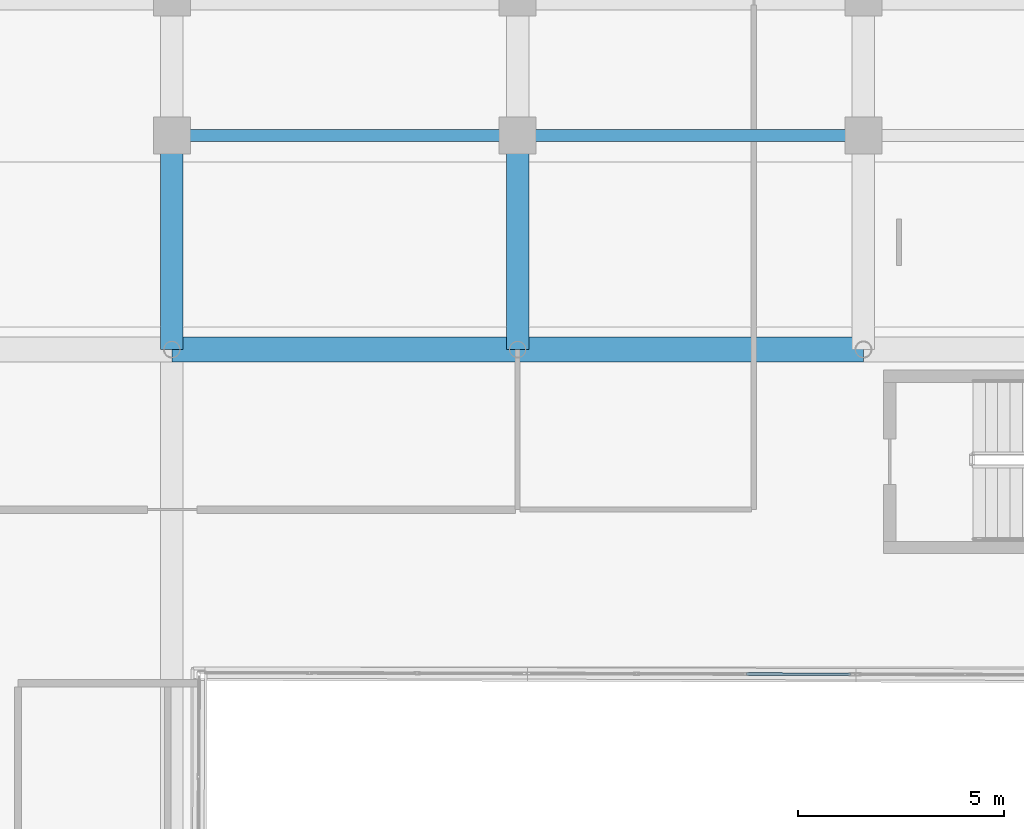
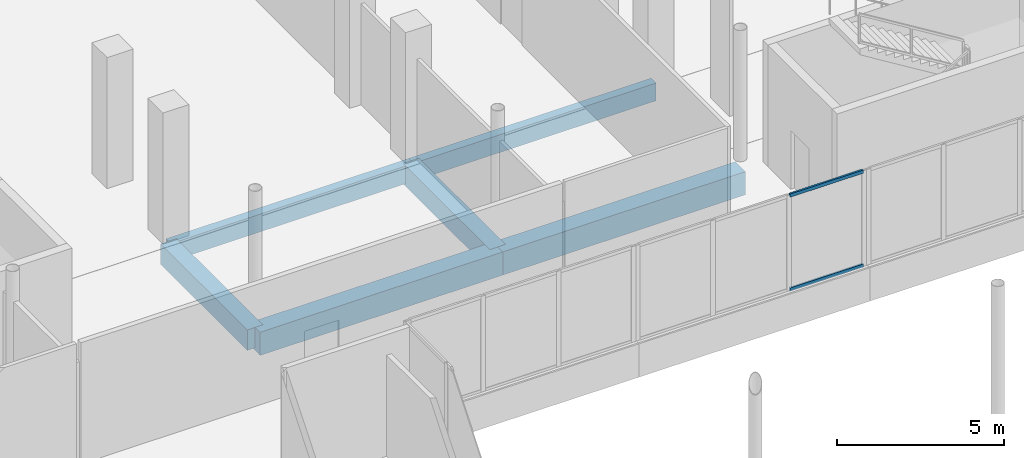
# One storey, part 73 of 168: 6 beams, 2 members, 1 element without a shape of its own.
"""IFC4 building model written with IfcOpenShell, lengths in metres."""

from ifc_helpers import new_model, si_unit, direction, frame, origin, origin_2d, place, context, subcontext, project, spatial, rectangle, hollow_rectangle, extrude, material, material_profile, profile_set, type_object, element, aggregate, save


model = new_model("IFC4")

# Units and contexts
model_context = context("Model", 3, precision=1e-05, world=origin(), true_north=direction((0.0, 1.0)))
body_context = subcontext(model_context, "Body", "Model", "MODEL_VIEW")
ifc_project = project(units=[si_unit("LENGTHUNIT", "METRE"), si_unit("AREAUNIT", "SQUARE_METRE"), si_unit("VOLUMEUNIT", "CUBIC_METRE"), si_unit("PLANEANGLEUNIT", "RADIAN"), si_unit("MASSUNIT", "GRAM", prefix="KILO")], contexts=[model_context])

# Site, building, storey
site_placement = place(None, origin())
site = spatial("IfcSite", under=ifc_project, at=site_placement, CompositionType="ELEMENT")
building_placement = place(site_placement, origin())
building = spatial("IfcBuilding", under=site, at=building_placement, Name="Selatvlak General Hospital", CompositionType="ELEMENT")
storey_placement = place(building_placement, frame((0.0, 0.0, 5.39990234375)))
storey = spatial("IfcBuildingStorey", under=building, at=storey_placement, Name="L01", CompositionType="ELEMENT", Elevation=5.39990234375)

# Beams
ifc_material_1 = material(Name="Concrete C40/50", Category="concrete")
ifc_material_profile_1 = material_profile(ifc_material_1, rectangle(XDim=0.60009765625, YDim=0.85009765625, at=origin_2d()), Name="RC-BM 600x850")
ifc_profile_set_1 = profile_set([ifc_material_profile_1], Name="Concrete C40/50")
beam_type_1 = type_object("IfcBeamType", Name="BM-G01", PredefinedType="BEAM", material=ifc_profile_set_1)
for number, where, z_axis, x_axis, name in (
    (1, (39.60009765625, 83.449951171875, -0.744873046875), (1.0, 0.0, 0.0), (0.0, 1.0, 0.0), "Beam BMR-L01-0424"),
    (2, (48.0, 83.449951171875, -0.744873046875), (1.0, 0.0, 0.0), (0.0, 1.0, 0.0), "Beam BMR-L01-0425"),
):
    element("IfcBeam", number, at=place(storey_placement, frame(where, z_axis=z_axis, x_axis=x_axis)), inside=storey, type_object=beam_type_1, Name=name, PredefinedType="BEAM", context=body_context, shape_type="SweptSolid", body=[
        extrude(rectangle(XDim=0.60009765625, YDim=0.85009765625, at=origin_2d()), origin(), (0.0, 0.0, 1.0), 8.39990234375),
    ])
ifc_material_profile_2 = material_profile(ifc_material_1, rectangle(XDim=0.550048828125, YDim=0.75, at=origin_2d()), Name="RC-BM 550x750")
ifc_profile_set_2 = profile_set([ifc_material_profile_2], Name="Concrete C40/50")
beam_type_2 = type_object("IfcBeamType", Name="BM-G02", PredefinedType="BEAM", material=ifc_profile_set_2)
for number, where, z_axis, x_axis, name in (
    (3, (39.60009765625, 83.449951171875, -0.69482421875), (0.0, 1.0, 0.0), (-1.0, 0.0, 0.0), "Beam BMR-L01-0561"),
    (4, (48.0, 83.449951171875, -0.69482421875), (0.0, 1.0, 0.0), (-1.0, 0.0, 0.0), "Beam BMR-L01-0567"),
):
    element("IfcBeam", number, at=place(storey_placement, frame(where, z_axis=z_axis, x_axis=x_axis)), inside=storey, type_object=beam_type_2, Name=name, PredefinedType="BEAM", context=body_context, shape_type="SweptSolid", body=[
        extrude(rectangle(XDim=0.550048828125, YDim=0.75, at=origin_2d()), origin(), (0.0, 0.0, 1.0), 5.199951171875),
    ])
ifc_material_profile_3 = material_profile(ifc_material_1, rectangle(XDim=0.300048828125, YDim=0.64990234375, at=origin_2d()), Name="RC-SP 300x650")
ifc_profile_set_3 = profile_set([ifc_material_profile_3], Name="Concrete C40/50")
beam_type_3 = type_object("IfcBeamType", Name="BM-SP1", PredefinedType="SPANDREL", material=ifc_profile_set_3)
for number, where, z_axis, x_axis, name in (
    (5, (39.60009765625, 88.64990234375, -0.64501953125), (1.0, 0.0, 0.0), (0.0, 1.0, 0.0), "Beam BMR-L01-0434"),
    (6, (48.0, 88.64990234375, -0.64501953125), (1.0, 0.0, 0.0), (0.0, 1.0, 0.0), "Beam BMR-L01-0435"),
):
    element("IfcBeam", number, at=place(storey_placement, frame(where, z_axis=z_axis, x_axis=x_axis)), inside=storey, type_object=beam_type_3, Name=name, PredefinedType="SPANDREL", context=body_context, shape_type="SweptSolid", body=[
        extrude(rectangle(XDim=0.300048828125, YDim=0.64990234375, at=origin_2d()), origin(), (0.0, 0.0, 1.0), 8.39990234375),
    ])

# Curtain wall, members
ifc_material_2 = material(Name="Solar-control Low-E double glazing", Category="glass")
curtain_wall_type = type_object("IfcCurtainWallType", Name="CW-CW-02", PredefinedType="USERDEFINED", material=ifc_material_2)
curtain_wall_placement = place(storey_placement, origin())
curtain_wall = element("IfcCurtainWall", 7, at=curtain_wall_placement, inside=storey, type_object=curtain_wall_type, Name="Glazed facade curtain wall CW-L01-0237", ObjectType="UNITISED CURTAIN WALL", PredefinedType="USERDEFINED")
ifc_material_3 = material(Name="Dark anodised aluminium mullion", Category="aluminium")
ifc_material_profile_4 = material_profile(ifc_material_3, hollow_rectangle(XDim=0.06494140625, YDim=0.1201171875, WallThickness=0.00390625, at=origin_2d()), Name="AL-TRN 65x120x4")
ifc_profile_set_4 = profile_set([ifc_material_profile_4], Name="Dark anodised aluminium mullion")
member_type = type_object("IfcMemberType", Name="CWT-01", PredefinedType="USERDEFINED", material=ifc_profile_set_4)
member_1_placement = place(storey_placement, frame((56.090087890625, 75.56005859375, 0.97265625), z_axis=(-0.999996621569, 0.002599394318, 0.0), x_axis=(-0.002599394318, -0.999996621569, 0.0)))
member_1 = element("IfcMember", 8, at=member_1_placement, type_object=member_type, Name="CW-02 transom 1.1", ObjectType="TRANSOM", PredefinedType="USERDEFINED", context=body_context, shape_type="SweptSolid", body=[
    extrude(hollow_rectangle(XDim=0.06494140625, YDim=0.1201171875, WallThickness=0.00390625, at=origin_2d()), origin(), (0.0, 0.0, 1.0), 2.535888671875),
])
member_2_placement = place(storey_placement, frame((56.090087890625, 75.56005859375, 4.41259765625), z_axis=(-0.999996621569, 0.002599394318, 0.0), x_axis=(-0.002599394318, -0.999996621569, 0.0)))
member_2 = element("IfcMember", 9, at=member_2_placement, type_object=member_type, Name="CW-02 transom 1.2", ObjectType="TRANSOM", PredefinedType="USERDEFINED", context=body_context, shape_type="SweptSolid", body=[
    extrude(hollow_rectangle(XDim=0.06494140625, YDim=0.1201171875, WallThickness=0.00390625, at=origin_2d()), origin(), (0.0, 0.0, 1.0), 2.535888671875),
])
aggregate(curtain_wall, [member_1, member_2])

save(model, "model.ifc")
